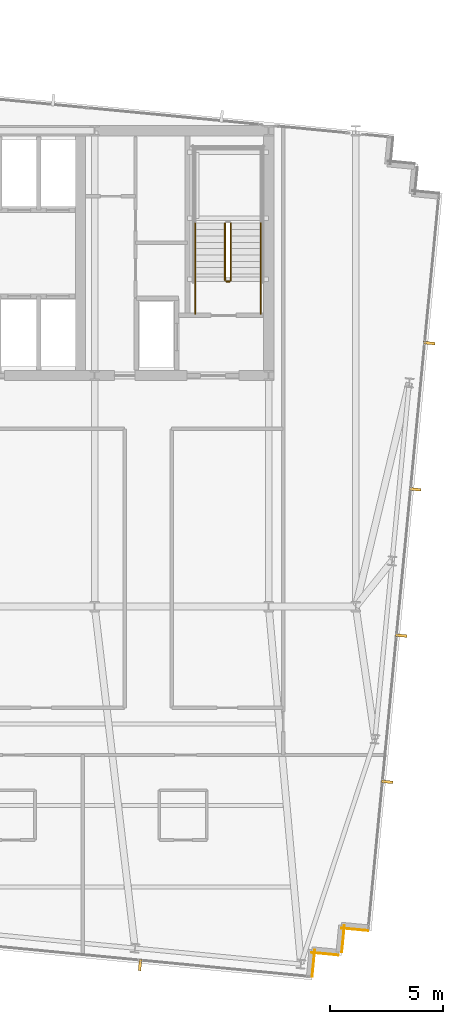
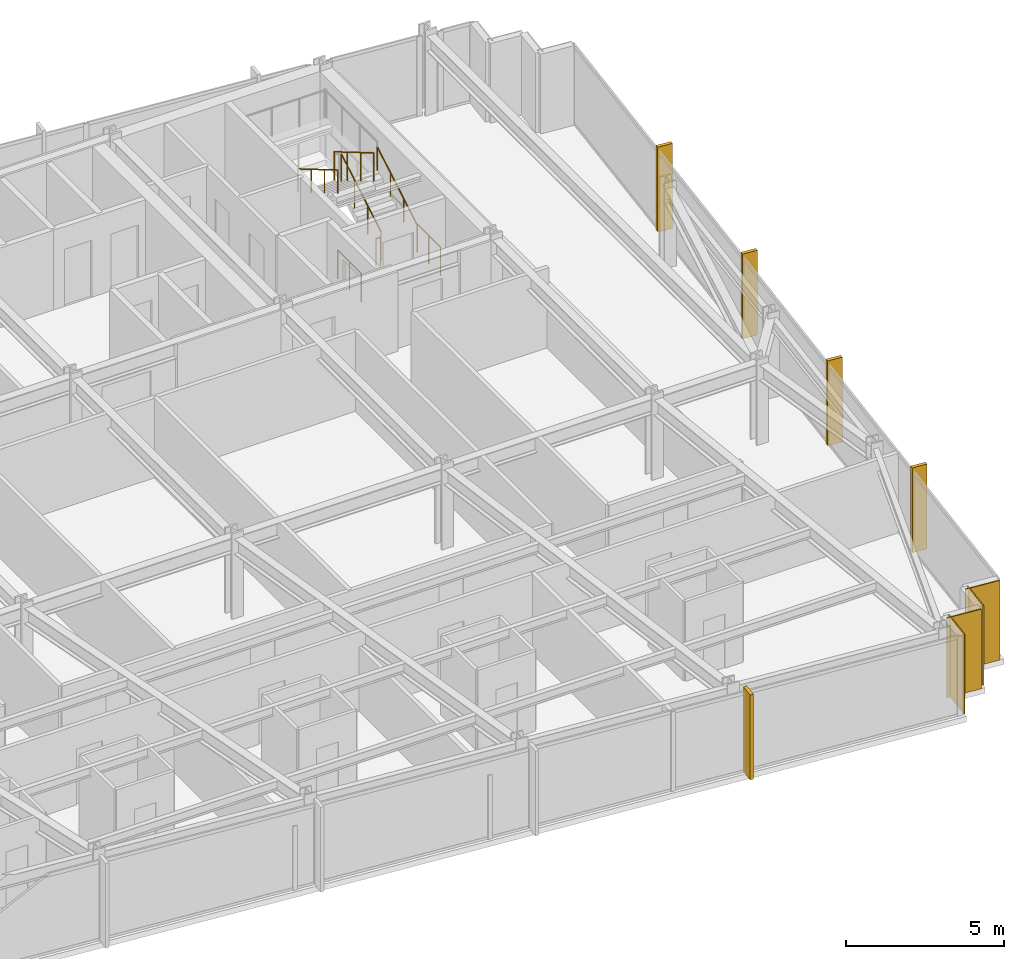
# One storey, part 34 of 36: 7 railings, 5 shading devices, 4 coverings.
"""IFC4 building model written with IfcOpenShell, lengths in metres."""

from ifc_helpers import new_model, si_unit, direction, frame, frame_2d, origin, origin_2d, place, context, subcontext, project, spatial, rectangle, circle, extrude, material, layer, layer_set, type_object, element, save


model = new_model("IFC4")

# Units and contexts
model_context = context("Model", 3, precision=1e-05, world=origin(), true_north=direction((0.0, 1.0)))
body_context = subcontext(model_context, "Body", "Model", "MODEL_VIEW")
ifc_project = project(units=[si_unit("LENGTHUNIT", "METRE"), si_unit("AREAUNIT", "SQUARE_METRE"), si_unit("VOLUMEUNIT", "CUBIC_METRE"), si_unit("PLANEANGLEUNIT", "RADIAN"), si_unit("MASSUNIT", "GRAM", prefix="KILO")], contexts=[model_context])

# Site, building, storey
site_placement = place(None, origin())
site = spatial("IfcSite", under=ifc_project, at=site_placement, CompositionType="ELEMENT")
building_placement = place(site_placement, origin())
building = spatial("IfcBuilding", under=site, at=building_placement, Name="Yelkora Congress Tower", CompositionType="ELEMENT")
storey_placement = place(building_placement, frame((0.0, 0.0, 152.300048828125)))
storey = spatial("IfcBuildingStorey", under=building, at=storey_placement, Name="L41", CompositionType="ELEMENT", Elevation=152.300048828125)

# Coverings
ifc_material_1 = material(Name="Anatolian bush-hammered limestone", Category="masonry")
ifc_layer_1 = layer(ifc_material_1, 0.0400390625)
ifc_layer_set_1 = layer_set([ifc_layer_1], Name="Anatolian bush-hammered limestone")
covering_type = type_object("IfcCoveringType", Name="COV-CLAD-SPANDREL-40", PredefinedType="CLADDING", material=ifc_layer_set_1)
covering_1_placement = place(storey_placement, frame((58.1474609375, 10.898681640625, 0.0), z_axis=(0.0, 0.0, 1.0), x_axis=(-0.995379537303, 0.096018626938, 0.0)))
element("IfcCovering", 1, at=covering_1_placement, inside=storey, type_object=covering_type, Name="L41 Anatolian Limestone Cladding EW-L41-SR16", PredefinedType="CLADDING", context=body_context, shape_type="SweptSolid", body=[
    extrude(rectangle(XDim=1.2001953125, YDim=0.0400390625, at=frame_2d((0.60009765625, 0.0))), origin(), (0.0, 0.0, 1.0), 3.079833984375),
])
covering_2_placement = place(storey_placement, frame((57.10009765625, 11.13525390625, 0.0), z_axis=(0.0, 0.0, 1.0), x_axis=(-0.095836473879, -0.995397091755, 0.0)))
element("IfcCovering", 2, at=covering_2_placement, inside=storey, type_object=covering_type, Name="L41 Anatolian Limestone Cladding EW-L41-SR17", PredefinedType="CLADDING", context=body_context, shape_type="SweptSolid", body=[
    extrude(rectangle(XDim=1.199951171875, YDim=0.0400390625, at=frame_2d((0.60009765625, 0.0))), origin(), (0.0, 0.0, 1.0), 3.079833984375),
])
for number, where, z_axis, x_axis, name in (
    (3, (56.837890625, 9.8193359375, 0.0), (0.0, 0.0, 1.0), (-0.995398960025, 0.095817067274, 0.0), "L41 Anatolian Limestone Cladding EW-L41-SR18"),
    (4, (55.790771484375, 10.055908203125, 0.0), (0.0, 0.0, 1.0), (-0.095817067274, -0.995398960025, 0.0), "L41 Anatolian Limestone Cladding EW-L41-SR19"),
):
    element("IfcCovering", number, at=place(storey_placement, frame(where, z_axis=z_axis, x_axis=x_axis)), inside=storey, type_object=covering_type, Name=name, PredefinedType="CLADDING", context=body_context, shape_type="SweptSolid", body=[
        extrude(rectangle(XDim=1.2001953125, YDim=0.0400390625, at=frame_2d((0.60009765625, 0.0))), origin(), (0.0, 0.0, 1.0), 3.079833984375),
    ])

# Railings
ifc_material_2 = material(Name="Painted galvanised steel stair well guard with vertical infill", Category="steel")
ifc_layer_2 = layer(ifc_material_2, 0.06005859375)
ifc_layer_set_2 = layer_set([ifc_layer_2], Name="Painted galvanised steel stair well guard with vertical infill")
railing_type_1 = type_object("IfcRailingType", Name="RAIL-STAIR-GUARD-1120", PredefinedType="GUARDRAIL", material=ifc_layer_set_2)
railing_1_placement = place(storey_placement, frame((52.090087890625, 39.60009765625, 0.1650390625)))
element("IfcRailing", 5, at=railing_1_placement, inside=storey, type_object=railing_type_1, Name="ST-02 L41 Stair Well Guardrail 1", PredefinedType="GUARDRAIL", context=body_context, shape_type="SweptSolid", body=[
    extrude(circle(Radius=0.02392578125, at=origin_2d()), frame((0.0, 0.0, 1.09619140625), z_axis=(0.0, 0.861560626758, 0.507654692109), x_axis=(-1.0, 0.0, 0.0)), (0.0, 0.0, 1.0), 2.925048828125),
    extrude(circle(Radius=0.02099609375, at=origin_2d()), origin(), (0.0, 0.0, 1.0), 1.072021484375),
    extrude(circle(Radius=0.02099609375, at=origin_2d()), frame((0.0, 0.840087890625, 0.494873046875)), (0.0, 0.0, 1.0), 1.072021484375),
    extrude(circle(Radius=0.02099609375, at=origin_2d()), frame((0.0, 1.679931640625, 0.989990234375)), (0.0, 0.0, 1.0), 1.072021484375),
    extrude(circle(Radius=0.02099609375, at=origin_2d()), frame((0.0, 2.52001953125, 1.48486328125)), (0.0, 0.0, 1.0), 1.072021484375),
])
railing_2_placement = place(storey_placement, frame((51.830078125, 42.1201171875, 1.81494140625)))
element("IfcRailing", 6, at=railing_2_placement, inside=storey, type_object=railing_type_1, Name="ST-02 L41 Stair Well Guardrail 6", PredefinedType="GUARDRAIL", context=body_context, shape_type="SweptSolid", body=[
    extrude(circle(Radius=0.02392578125, at=origin_2d()), frame((0.0, 0.0, 1.09619140625), z_axis=(0.0, -0.86152411907, 0.507716645641), x_axis=(1.0, 0.0, 0.0)), (0.0, 0.0, 1.0), 2.925048828125),
    extrude(circle(Radius=0.02099609375, at=origin_2d()), origin(), (0.0, 0.0, 1.0), 1.072021484375),
    extrude(circle(Radius=0.02099609375, at=origin_2d()), frame((0.0, -0.840087890625, 0.4951171875)), (0.0, 0.0, 1.0), 1.072021484375),
    extrude(circle(Radius=0.02099609375, at=origin_2d()), frame((0.0, -1.679931640625, 0.989990234375)), (0.0, 0.0, 1.0), 1.072021484375),
    extrude(circle(Radius=0.02099609375, at=origin_2d()), frame((0.0, -2.52001953125, 1.485107421875)), (0.0, 0.0, 1.0), 1.072021484375),
])
railing_3_placement = place(storey_placement, frame((52.0400390625, 39.550048828125, 0.0)))
element("IfcRailing", 7, at=railing_3_placement, inside=storey, type_object=railing_type_1, Name="ST-02 L41 Stair Well Guardrail 7", PredefinedType="GUARDRAIL", context=body_context, shape_type="SweptSolid", body=[
    extrude(circle(Radius=0.02392578125, at=origin_2d()), frame((0.0, 0.0, 1.09619140625), z_axis=(-1.0, 0.0, 0.0), x_axis=(0.0, -1.0, 0.0)), (0.0, 0.0, 1.0), 0.16015625),
    extrude(circle(Radius=0.02099609375, at=origin_2d()), origin(), (0.0, 0.0, 1.0), 1.072021484375),
    extrude(circle(Radius=0.02099609375, at=origin_2d()), frame((-0.16015625, 0.0, 0.0)), (0.0, 0.0, 1.0), 1.072021484375),
])
for number, where, name in (
    (8, (53.409912109375, 38.1201171875, 0.0), "ST-02 L41 Stair Well Guardrail 8"),
    (9, (50.510009765625, 38.1201171875, 0.0), "ST-02 L41 Stair Well Guardrail 9"),
):
    element("IfcRailing", number, at=place(storey_placement, frame(where)), inside=storey, type_object=railing_type_1, Name=name, PredefinedType="GUARDRAIL", context=body_context, shape_type="SweptSolid", body=[
        extrude(circle(Radius=0.02392578125, at=origin_2d()), frame((0.0, 0.0, 1.09619140625), z_axis=(0.0, 1.0, 0.0), x_axis=(-1.0, 0.0, 0.0)), (0.0, 0.0, 1.0), 1.47998046875),
        extrude(circle(Radius=0.02099609375, at=origin_2d()), origin(), (0.0, 0.0, 1.0), 1.072021484375),
        extrude(circle(Radius=0.02099609375, at=origin_2d()), frame((0.0, 0.739990234375, 0.0)), (0.0, 0.0, 1.0), 1.072021484375),
        extrude(circle(Radius=0.02099609375, at=origin_2d()), frame((0.0, 1.47998046875, 0.0)), (0.0, 0.0, 1.0), 1.072021484375),
    ])
ifc_material_3 = material(Name="Brushed stainless steel tubular handrail", Category="steel")
ifc_layer_3 = layer(ifc_material_3, 0.050048828125)
ifc_layer_set_3 = layer_set([ifc_layer_3], Name="Brushed stainless steel tubular handrail")
railing_type_2 = type_object("IfcRailingType", Name="RAIL-STAIR-HAND-920", PredefinedType="HANDRAIL", material=ifc_layer_set_3)
railing_4_placement = place(storey_placement, frame((53.409912109375, 39.60009765625, 0.1650390625)))
element("IfcRailing", 10, at=railing_4_placement, inside=storey, type_object=railing_type_2, Name="ST-02 L41 Pitch Handrail 1", PredefinedType="HANDRAIL", context=body_context, shape_type="SweptSolid", body=[
    extrude(circle(Radius=0.02392578125, at=origin_2d()), frame((0.0, 0.0, 0.89599609375), z_axis=(0.0, 0.861560626758, 0.507654692109), x_axis=(-1.0, 0.0, 0.0)), (0.0, 0.0, 1.0), 2.925048828125),
    extrude(circle(Radius=0.02099609375, at=origin_2d()), origin(), (0.0, 0.0, 1.0), 0.871826171875),
    extrude(circle(Radius=0.02099609375, at=origin_2d()), frame((0.0, 0.840087890625, 0.494873046875)), (0.0, 0.0, 1.0), 0.871826171875),
    extrude(circle(Radius=0.02099609375, at=origin_2d()), frame((0.0, 1.679931640625, 0.989990234375)), (0.0, 0.0, 1.0), 0.871826171875),
    extrude(circle(Radius=0.02099609375, at=origin_2d()), frame((0.0, 2.52001953125, 1.48486328125)), (0.0, 0.0, 1.0), 0.871826171875),
])
railing_5_placement = place(storey_placement, frame((50.510009765625, 42.1201171875, 1.81494140625)))
element("IfcRailing", 11, at=railing_5_placement, inside=storey, type_object=railing_type_2, Name="ST-02 L41 Pitch Handrail 2", PredefinedType="HANDRAIL", context=body_context, shape_type="SweptSolid", body=[
    extrude(circle(Radius=0.02392578125, at=origin_2d()), frame((0.0, 0.0, 0.89599609375), z_axis=(0.0, -0.86152411907, 0.507716645641), x_axis=(1.0, 0.0, 0.0)), (0.0, 0.0, 1.0), 2.925048828125),
    extrude(circle(Radius=0.02099609375, at=origin_2d()), origin(), (0.0, 0.0, 1.0), 0.871826171875),
    extrude(circle(Radius=0.02099609375, at=origin_2d()), frame((0.0, -0.840087890625, 0.4951171875)), (0.0, 0.0, 1.0), 0.871826171875),
    extrude(circle(Radius=0.02099609375, at=origin_2d()), frame((0.0, -1.679931640625, 0.989990234375)), (0.0, 0.0, 1.0), 0.871826171875),
    extrude(circle(Radius=0.02099609375, at=origin_2d()), frame((0.0, -2.52001953125, 1.485107421875)), (0.0, 0.0, 1.0), 0.871826171875),
])

# Shading devices
ifc_material_4 = material(Name="Champagne anodised aluminium", Category="aluminium")
ifc_layer_4 = layer(ifc_material_4, 3.300048828125)
ifc_layer_set_4 = layer_set([ifc_layer_4], Name="Champagne anodised aluminium")
shading_device_type = type_object("IfcShadingDeviceType", Name="SHD-FIN-ALU-520", PredefinedType="USERDEFINED", material=ifc_layer_set_4)
for number, where, z_axis, x_axis, name in (
    (12, (60.84521484375, 36.83056640625, -0.0302734375), (0.0, 0.0, 1.0), (-0.09584575252, -0.995396198367, 0.0), "L41 Vertical Anodised Solar Fin 15-1"),
    (13, (60.223876953125, 30.37646484375, -0.0302734375), (0.0, 0.0, 1.0), (-0.09584575252, -0.995396198367, 0.0), "L41 Vertical Anodised Solar Fin 15-2"),
    (14, (59.602294921875, 23.92236328125, -0.0302734375), (0.0, 0.0, 1.0), (-0.09584575252, -0.995396198367, 0.0), "L41 Vertical Anodised Solar Fin 15-3"),
    (15, (58.98095703125, 17.46826171875, -0.0302734375), (0.0, 0.0, 1.0), (-0.09584575252, -0.995396198367, 0.0), "L41 Vertical Anodised Solar Fin 15-4"),
    (16, (48.082275390625, 9.3916015625, -0.0302734375), (0.0, 0.0, 1.0), (-0.995396198367, 0.09584575252, 0.0), "L41 Vertical Anodised Solar Fin 20-1"),
):
    element("IfcShadingDevice", number, at=place(storey_placement, frame(where, z_axis=z_axis, x_axis=x_axis)), inside=storey, type_object=shading_device_type, Name=name, ObjectType="FIN", PredefinedType="USERDEFINED", context=body_context, shape_type="SweptSolid", body=[
        extrude(rectangle(XDim=0.1201171875, YDim=0.52001953125, at=origin_2d()), origin(), (0.0, 0.0, 1.0), 3.280029296875),
    ])

save(model, "model.ifc")
